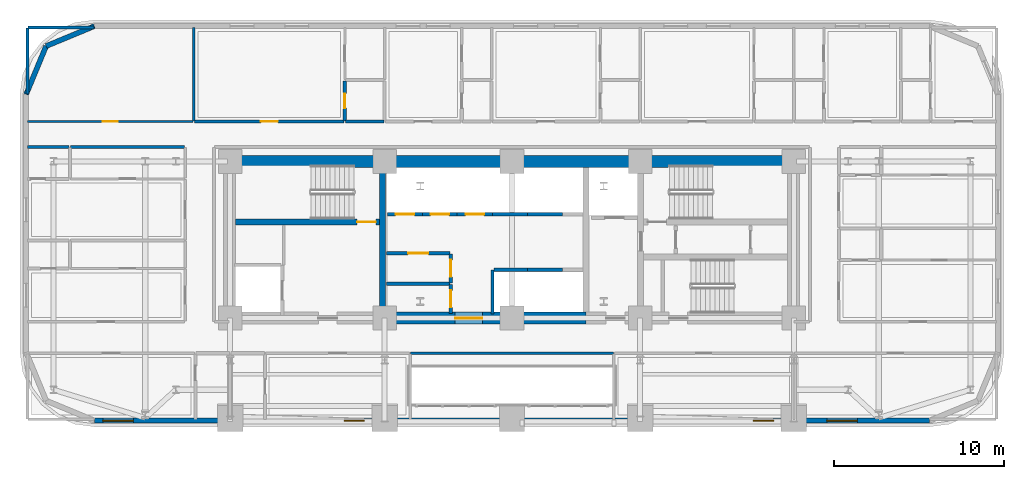
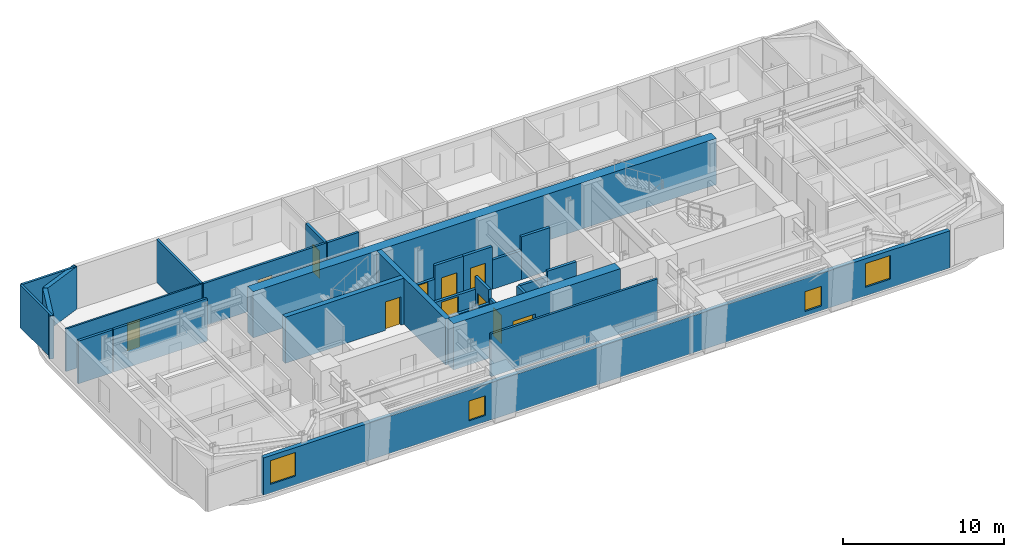
# One storey, part 8 of 16: 29 walls, 11 doors, 4 windows, 15 openings.
"""IFC4 building model written with IfcOpenShell, lengths in metres."""

import ifcopenshell
import ifcopenshell.guid

model = None  # the IFC model being written
_history = None  # IfcOwnerHistory: only IFC2X3 demands one
_inside = {}  # id of a spatial element -> (the spatial element, [elements in it])
_under = {}  # id of a project, library or spatial element -> (it, [spatial elements below it])
_declared = {}  # id of a project -> (the project, [libraries it declares])
_typed = {}  # id of a type object -> (the type object, [elements of that type])
_made_of = {}  # id of a material, layer set ... -> (it, [elements and type objects made of it])


def new_model(schema):
    """Start an empty IFC model of exactly this schema.

    Asked for "IFC4X3", IfcOpenShell would pick the latest addendum, in which some entities
    have other attributes; the version numbers below select the first issue.
    IFC2X3 requires an IfcOwnerHistory on every rooted entity: one is made here for all.
    """
    global model, _history
    if schema == "IFC4X3":
        model = ifcopenshell.file(schema_version=(4, 3, 0, 0))
    else:
        model = ifcopenshell.file(schema=schema)
    _inside.clear()
    _under.clear()
    _declared.clear()
    _typed.clear()
    _made_of.clear()
    _history = None
    if model.schema == "IFC2X3":
        org = make("IfcOrganization", Name="unknown")
        user = make(
            "IfcPersonAndOrganization",
            ThePerson=make("IfcPerson", FamilyName="unknown"),
            TheOrganization=org,
        )
        app = make(
            "IfcApplication",
            ApplicationDeveloper=org,
            Version="unknown",
            ApplicationFullName="unknown",
            ApplicationIdentifier="unknown",
        )
        _history = make(
            "IfcOwnerHistory",
            OwningUser=user,
            OwningApplication=app,
            ChangeAction="ADDED",
            CreationDate=0,
        )
    return model


def make(cls, **values):
    """One entity of the class cls with the attributes given. An attribute that is None is left unset."""
    return model.create_entity(
        cls, **{name: value for name, value in values.items() if value is not None}
    )


def rooted(cls, **values):
    """An entity with a GlobalId (a new one), such as an element, a storey or a relation."""
    return make(cls, GlobalId=ifcopenshell.guid.new(), OwnerHistory=_history, **values)


def si_unit(unit_type, name, prefix=None):
    """IfcSIUnit, for example si_unit("LENGTHUNIT", "METRE", prefix="MILLI")."""
    return make("IfcSIUnit", UnitType=unit_type, Prefix=prefix, Name=name)


def assignment(units):
    """IfcUnitAssignment: the units of a project."""
    return None if units is None else make("IfcUnitAssignment", Units=units)


def point(xyz):
    """IfcCartesianPoint."""
    return None if xyz is None else make("IfcCartesianPoint", Coordinates=xyz)


def direction(xyz):
    """IfcDirection."""
    return None if xyz is None else make("IfcDirection", DirectionRatios=xyz)


def frame(location, z_axis=None, x_axis=None):
    """IfcAxis2Placement3D, a coordinate frame: its origin and axes. An axis left out is left unset."""
    return make(
        "IfcAxis2Placement3D",
        Location=point(location),
        Axis=direction(z_axis),
        RefDirection=direction(x_axis),
    )


def frame_2d(location, x_axis=None):
    """IfcAxis2Placement2D, a coordinate frame in the plane: its origin and x axis."""
    return make(
        "IfcAxis2Placement2D", Location=point(location), RefDirection=direction(x_axis)
    )


def origin():
    """The frame at (0, 0, 0) with its axes left unset."""
    return frame((0.0, 0.0, 0.0))


def place(relative_to, where):
    """IfcLocalPlacement: puts the frame where relative to a parent placement (None: the world)."""
    return make(
        "IfcLocalPlacement", PlacementRelTo=relative_to, RelativePlacement=where
    )


def context(
    kind, dimensions, precision=None, world=None, true_north=None, identifier=None
):
    """IfcGeometricRepresentationContext, for example the 3D "Model" context."""
    return make(
        "IfcGeometricRepresentationContext",
        ContextIdentifier=identifier,
        ContextType=kind,
        CoordinateSpaceDimension=dimensions,
        Precision=precision,
        WorldCoordinateSystem=world,
        TrueNorth=true_north,
    )


def subcontext(parent, identifier, kind, view, scale=None):
    """IfcGeometricRepresentationSubContext, for example "Body" below "Model"."""
    return make(
        "IfcGeometricRepresentationSubContext",
        ContextIdentifier=identifier,
        ContextType=kind,
        ParentContext=parent,
        TargetScale=scale,
        TargetView=view,
    )


def project(units=None, contexts=None):
    """IfcProject with its units and contexts."""
    return rooted(
        "IfcProject",
        Name="project",
        RepresentationContexts=contexts,
        UnitsInContext=assignment(units),
    )


def spatial(cls, under=None, at=None, **own):
    """A site, building, storey or space (cls), placed at a placement, below another one or the project."""
    s = rooted(cls, ObjectPlacement=at, **own)
    if under is not None:
        _under.setdefault(under.id(), (under, []))[1].append(s)
    return s


def profile(cls, at=None, kind="AREA", **sizes):
    """A parametric profile (cls). Its sizes go by their IFC names, for example OverallWidth=200.0."""
    return make(cls, ProfileType=kind, Position=at, **sizes)


def rectangle(**sizes):
    """IfcRectangleProfileDef."""
    return profile("IfcRectangleProfileDef", **sizes)


def extrude(swept, where, along, depth):
    """IfcExtrudedAreaSolid: the profile swept, set in the frame where, extruded along a direction by depth."""
    return make(
        "IfcExtrudedAreaSolid",
        SweptArea=swept,
        Position=where,
        ExtrudedDirection=direction(along),
        Depth=depth,
    )


def shape(context_of_items, identifier, shape_type, items):
    """IfcShapeRepresentation: the items that make up one representation, for example the "Body"."""
    return make(
        "IfcShapeRepresentation",
        ContextOfItems=context_of_items,
        RepresentationIdentifier=identifier,
        RepresentationType=shape_type,
        Items=items,
    )


def material(Name=None, Category=None):
    """IfcMaterial."""
    return make("IfcMaterial", Name=Name, Category=Category)


def layer(
    of_material, thickness, ventilated=None, Name=None, Category=None, Priority=None
):
    """IfcMaterialLayer: one layer of a wall or slab, of a material (None: an air gap)."""
    return make(
        "IfcMaterialLayer",
        Material=of_material,
        LayerThickness=thickness,
        IsVentilated=ventilated,
        Name=Name,
        Category=Category,
        Priority=Priority,
    )


def layer_set(layers, Name=None):
    """IfcMaterialLayerSet."""
    return make("IfcMaterialLayerSet", MaterialLayers=layers, LayerSetName=Name)


def made_of(thing, what):
    """Note that an element or type object is made of a material, layer set ...; save() writes the relation."""
    if what is not None:
        _made_of.setdefault(what.id(), (what, []))[1].append(thing)
    return thing


def type_object(cls, material=None, **own):
    """A type object (cls), such as IfcWallType, which elements share."""
    return made_of(rooted(cls, **own), material)


def element(
    cls,
    number,
    at=None,
    inside=None,
    cuts=None,
    type_object=None,
    material=None,
    context=None,
    identifier="Body",
    shape_type=None,
    held_by="IfcProductDefinitionShape",
    body=None,
    shapes=None,
    **own,
):
    """One element of the class cls, such as IfcWall. Its Tag is "e" and its number.

    at: its placement. inside: the storey or other place that contains it. cuts: it is an
    opening in that element (IfcRelVoidsElement). A single representation is given by context,
    identifier, shape_type and body (its items); several are given by shapes. held_by: the class
    of the entity that holds the representations. save() writes the other relations.
    """
    e = rooted(cls, Tag="e%d" % number, ObjectPlacement=at, **own)
    if body is not None:
        shapes = [shape(context, identifier, shape_type, body)]
    if shapes is not None:
        e.Representation = make(held_by, Representations=shapes)
    if inside is not None:
        _inside.setdefault(inside.id(), (inside, []))[1].append(e)
    if cuts is not None:
        rooted(
            "IfcRelVoidsElement", RelatingBuildingElement=cuts, RelatedOpeningElement=e
        )
    if type_object is not None:
        _typed.setdefault(type_object.id(), (type_object, []))[1].append(e)
    return made_of(e, material)


def fill(opening, filler):
    """IfcRelFillsElement: the door or window that sits in an opening."""
    return rooted(
        "IfcRelFillsElement",
        RelatingOpeningElement=opening,
        RelatedBuildingElement=filler,
    )


def aggregate(whole, parts):
    """IfcRelAggregates: a whole, such as a stair, and the parts it consists of."""
    return rooted("IfcRelAggregates", RelatingObject=whole, RelatedObjects=parts)


def save(model, path):
    """Write the relations noted so far, then the file.

    IfcRelAggregates (storeys below a building ...), IfcRelContainedInSpatialStructure (elements
    in a storey), IfcRelDefinesByType, IfcRelAssociatesMaterial and IfcRelDeclares: one each for
    every whole, place, type object, material and project.
    """
    for whole, parts in _under.values():
        aggregate(whole, parts)
    for where, things in _inside.values():
        rooted(
            "IfcRelContainedInSpatialStructure",
            RelatedElements=things,
            RelatingStructure=where,
        )
    for kind, things in _typed.values():
        rooted("IfcRelDefinesByType", RelatedObjects=things, RelatingType=kind)
    for what, things in _made_of.values():
        rooted("IfcRelAssociatesMaterial", RelatedObjects=things, RelatingMaterial=what)
    for by, libraries in _declared.values():
        rooted("IfcRelDeclares", RelatingContext=by, RelatedDefinitions=libraries)
    model.write(path)


model = new_model("IFC4")

# Units and contexts
model_context = context("Model", 3, precision=1e-05, world=origin(), true_north=direction((0.0, 1.0)))
body_context = subcontext(model_context, "Body", "Model", "MODEL_VIEW")
ifc_project = project(units=[si_unit("LENGTHUNIT", "METRE"), si_unit("AREAUNIT", "SQUARE_METRE"), si_unit("VOLUMEUNIT", "CUBIC_METRE"), si_unit("PLANEANGLEUNIT", "RADIAN"), si_unit("MASSUNIT", "GRAM", prefix="KILO")], contexts=[model_context])

# Site, building, storey
site_placement = place(None, origin())
site = spatial("IfcSite", under=ifc_project, at=site_placement, CompositionType="ELEMENT")
building_placement = place(site_placement, origin())
building = spatial("IfcBuilding", under=site, at=building_placement, Name="Zarnavel Station Tower", CompositionType="ELEMENT")
storey_placement = place(building_placement, frame((0.0, 0.0, 46.5)))
storey = spatial("IfcBuildingStorey", under=building, at=storey_placement, Name="L12", CompositionType="ELEMENT", Elevation=46.5)

# Wall
ifc_material_1 = material(Name="Concrete C50/60", Category="concrete")
ifc_layer_1 = layer(ifc_material_1, 0.35009765625)
ifc_layer_set_1 = layer_set([ifc_layer_1], Name="CW_350")
wall_type_1 = type_object("IfcWallType", Name="CW_350", PredefinedType="SHEAR", material=ifc_layer_set_1)
wall_1_placement = place(storey_placement, frame((21.179931640625, 28.169921875, 0.0), z_axis=(0.0, 0.0, 1.0), x_axis=(0.0, 1.0, 0.0)))
element("IfcWall", 1, at=wall_1_placement, inside=storey, type_object=wall_type_1, Name="L12 Rear Core Shear Wall DIV-W", PredefinedType="SHEAR", context=body_context, shape_type="SweptSolid", body=[
    extrude(rectangle(XDim=8.530029296875, YDim=0.35009765625, at=frame_2d((4.26513671875, 0.0))), origin(), (0.0, 0.0, 1.0), 3.5),
])

# Wall, opening, door
wall_2_placement = place(storey_placement, frame((21.0048828125, 33.47998046875, 0.0), z_axis=(0.0, 0.0, 1.0), x_axis=(-1.0, 0.0, 0.0)))
wall_2 = element("IfcWall", 2, at=wall_2_placement, inside=storey, type_object=wall_type_1, Name="L12 Rear Core Shear Wall DIV-H1", PredefinedType="SHEAR", context=body_context, shape_type="SweptSolid", body=[
    extrude(rectangle(XDim=8.5048828125, YDim=0.35009765625, at=frame_2d((4.25244140625, 0.0))), origin(), (0.0, 0.0, 1.0), 3.5),
])
opening_1_placement = place(wall_2_placement, frame((0.219970703125, 0.0, 0.0)))
opening_1 = element("IfcOpeningElement", 3, at=opening_1_placement, cuts=wall_2, Name="Opening FD01", PredefinedType="OPENING", context=body_context, shape_type="SweptSolid", body=[
    extrude(rectangle(XDim=1.10009765625, YDim=2.14990234375, at=frame_2d((0.550048828125, 1.074951171875))), frame((0.0, 0.18505859375, 0.0), z_axis=(0.0, -1.0, 0.0), x_axis=(1.0, 0.0, 0.0)), (0.0, 0.0, 1.0), 0.3701171875),
])
ifc_material_2 = material(Name="Painted Galvanised Steel and Hardwood Leaf", Category="steel")
door_type_1 = type_object("IfcDoorType", Name="ID_STAIR_1100", OperationType="NOTDEFINED", PredefinedType="DOOR", material=ifc_material_2)
door_1_placement = place(opening_1_placement, origin())
door_1 = element("IfcDoor", 4, at=door_1_placement, inside=storey, type_object=door_type_1, Name="L12 Stair ST1 Lobby Fire Door", OperationType="SINGLE_SWING_LEFT", OverallHeight=2.14990234375, OverallWidth=1.10009765625, PredefinedType="DOOR", context=body_context, shape_type="SweptSolid", body=[
    extrude(rectangle(XDim=1.10009765625, YDim=2.14990234375, at=frame_2d((0.550048828125, 1.074951171875))), frame((0.0, 0.02490234375, 0.0), z_axis=(0.0, -1.0, 0.0), x_axis=(1.0, 0.0, 0.0)), (0.0, 0.0, 1.0), 0.050048828125),
])
fill(opening_1, door_1)

# Wall
ifc_material_3 = material(Name="Concrete C60/75", Category="concrete")
ifc_layer_2 = layer(ifc_material_3, 0.699951171875)
ifc_layer_set_2 = layer_set([ifc_layer_2], Name="CW_700")
wall_type_2 = type_object("IfcWallType", Name="CW_700", PredefinedType="SHEAR", material=ifc_layer_set_2)
wall_3_placement = place(storey_placement, frame((12.14990234375, 37.050048828125, 0.0), z_axis=(0.0, 0.0, 1.0), x_axis=(1.0, 0.0, 0.0)))
element("IfcWall", 5, at=wall_3_placement, inside=storey, type_object=wall_type_2, Name="L12 Rear Core Shear Wall N", PredefinedType="SHEAR", context=body_context, shape_type="SweptSolid", body=[
    extrude(rectangle(XDim=33.22998046875, YDim=0.699951171875, at=frame_2d((16.614990234375, 0.0))), origin(), (0.0, 0.0, 1.0), 3.5),
])

# Wall, opening, door
wall_4_placement = place(storey_placement, frame((33.14990234375, 27.820068359375, 0.0), z_axis=(0.0, 0.0, 1.0), x_axis=(-1.0, 0.0, 0.0)))
wall_4 = element("IfcWall", 6, at=wall_4_placement, inside=storey, type_object=wall_type_2, Name="L12 Rear Core Shear Wall S-M", PredefinedType="SHEAR", context=body_context, shape_type="SweptSolid", body=[
    extrude(rectangle(XDim=11.969970703125, YDim=0.699951171875, at=frame_2d((5.98486328125, 0.0))), origin(), (0.0, 0.0, 1.0), 3.5),
])
opening_2_placement = place(wall_4_placement, frame((6.10009765625, 0.0, 0.0)))
opening_2 = element("IfcOpeningElement", 7, at=opening_2_placement, cuts=wall_4, Name="Opening ID03", PredefinedType="OPENING", context=body_context, shape_type="SweptSolid", body=[
    extrude(rectangle(XDim=1.60009765625, YDim=2.199951171875, at=frame_2d((0.800048828125, 1.10009765625))), frame((0.0, 0.35986328125, 0.0), z_axis=(0.0, -1.0, 0.0), x_axis=(1.0, 0.0, 0.0)), (0.0, 0.0, 1.0), 0.719970703125),
])
ifc_material_4 = material(Name="Painted Galvanised Steel and Hardwood Leaf", Category="steel")
door_type_2 = type_object("IfcDoorType", Name="ID_PUBLIC_1600", OperationType="DOUBLE_DOOR_SINGLE_SWING", PredefinedType="DOOR", material=ifc_material_4)
door_2_placement = place(opening_2_placement, origin())
door_2 = element("IfcDoor", 8, at=door_2_placement, inside=storey, type_object=door_type_2, Name="L12 Passenger Lift Lobby Double Door", OperationType="SINGLE_SWING_LEFT", OverallHeight=2.199951171875, OverallWidth=1.60009765625, PredefinedType="DOOR", context=body_context, shape_type="SweptSolid", body=[
    extrude(rectangle(XDim=1.60009765625, YDim=2.199951171875, at=frame_2d((0.800048828125, 1.10009765625))), frame((0.0, 0.02490234375, 0.0), z_axis=(0.0, -1.0, 0.0), x_axis=(1.0, 0.0, 0.0)), (0.0, 0.0, 1.0), 0.050048828125),
])
fill(opening_2, door_2)

# Walls
ifc_material_5 = material(Name="Precast concrete C45/55 (Dark Basalt Finish)", Category="masonry")
ifc_layer_3 = layer(ifc_material_5, 0.300048828125)
ifc_layer_set_3 = layer_set([ifc_layer_3], Name="EW_BASALT_300")
wall_type_3 = type_object("IfcWallType", Name="EW_BASALT_300", PredefinedType="SOLIDWALL", material=ifc_layer_set_3)
for number, where, z_axis, x_axis, name in (
    (9, (1.357421875, 43.842529296875, 0.0), (0.0, 0.0, 1.0), (0.923870793506, 0.382704529509, 0.0), "L12 Exterior Basalt Masonry Frame Wall 07"),
    (10, (0.179931640625, 41.0, 0.0), (0.0, 0.0, 1.0), (0.382704529509, 0.923870793506, 0.0), "L12 Exterior Basalt Masonry Frame Wall 08"),
):
    element("IfcWall", number, at=place(storey_placement, frame(where, z_axis=z_axis, x_axis=x_axis)), inside=storey, type_object=wall_type_3, Name=name, PredefinedType="SOLIDWALL", context=body_context, shape_type="SweptSolid", body=[
        extrude(rectangle(XDim=3.07666015625, YDim=0.300048828125, at=frame_2d((1.538330078125, 0.0))), origin(), (0.0, 0.0, 1.0), 3.239990234375),
    ])

# Wall, openings, windows
wall_5_placement = place(storey_placement, frame((53.39990234375, 21.780029296875, 0.0), z_axis=(0.0, 0.0, 1.0), x_axis=(-1.0, 0.0, 0.0)))
wall_5 = element("IfcWall", 11, at=wall_5_placement, inside=storey, type_object=wall_type_3, Name="L12 Exterior Basalt Masonry Frame Wall 12", PredefinedType="SOLIDWALL", context=body_context, shape_type="SweptSolid", body=[
    extrude(rectangle(XDim=49.199951171875, YDim=0.300048828125, at=frame_2d((24.60009765625, 0.0))), origin(), (0.0, 0.0, 1.0), 2.820068359375),
])
opening_3_placement = place(wall_5_placement, frame((46.896240234375, 0.0, 0.64990234375)))
opening_3 = element("IfcOpeningElement", 12, at=opening_3_placement, cuts=wall_5, Name="Opening WN02", PredefinedType="OPENING", context=body_context, shape_type="SweptSolid", body=[
    extrude(rectangle(XDim=1.800048828125, YDim=1.800048828125, at=frame_2d((0.89990234375, 0.89990234375))), frame((0.0, 0.159912109375, 0.0), z_axis=(0.0, -1.0, 0.0), x_axis=(1.0, 0.0, 0.0)), (0.0, 0.0, 1.0), 0.320068359375),
])
opening_4_placement = place(wall_5_placement, frame((33.294921875, 0.0, 0.47998046875)))
opening_4 = element("IfcOpeningElement", 13, at=opening_4_placement, cuts=wall_5, Name="Opening WN08", PredefinedType="OPENING", context=body_context, shape_type="SweptSolid", body=[
    extrude(rectangle(XDim=1.199951171875, YDim=1.5, at=frame_2d((0.60009765625, 0.75))), frame((0.0, 0.159912109375, 0.0), z_axis=(0.0, -1.0, 0.0), x_axis=(1.0, 0.0, 0.0)), (0.0, 0.0, 1.0), 0.320068359375),
])
opening_5_placement = place(wall_5_placement, frame((9.195068359375, 0.0, 0.340087890625)))
opening_5 = element("IfcOpeningElement", 14, at=opening_5_placement, cuts=wall_5, Name="Opening WN08", PredefinedType="OPENING", context=body_context, shape_type="SweptSolid", body=[
    extrude(rectangle(XDim=1.199951171875, YDim=1.5, at=frame_2d((0.60009765625, 0.75))), frame((0.0, 0.159912109375, 0.0), z_axis=(0.0, -1.0, 0.0), x_axis=(1.0, 0.0, 0.0)), (0.0, 0.0, 1.0), 0.320068359375),
])
opening_6_placement = place(wall_5_placement, frame((4.2587890625, 0.0, 0.64990234375)))
opening_6 = element("IfcOpeningElement", 15, at=opening_6_placement, cuts=wall_5, Name="Opening WN02", PredefinedType="OPENING", context=body_context, shape_type="SweptSolid", body=[
    extrude(rectangle(XDim=1.800048828125, YDim=1.800048828125, at=frame_2d((0.89990234375, 0.89990234375))), frame((0.0, 0.159912109375, 0.0), z_axis=(0.0, -1.0, 0.0), x_axis=(1.0, 0.0, 0.0)), (0.0, 0.0, 1.0), 0.320068359375),
])
ifc_material_6 = material(Name="Thermally Broken Black Aluminium and Low-E Dark Glass", Category="aluminium")
window_type_1 = type_object("IfcWindowType", Name="WN_1200x1500", PartitioningType="SINGLE_PANEL", PredefinedType="WINDOW", material=ifc_material_6)
window_1_placement = place(opening_4_placement, origin())
window_1 = element("IfcWindow", 16, at=window_1_placement, inside=storey, type_object=window_type_1, Name="L12 Recessed Facade Window 02", OverallHeight=1.5, OverallWidth=1.199951171875, PartitioningType="SINGLE_PANEL", PredefinedType="WINDOW", context=body_context, shape_type="SweptSolid", body=[
    extrude(rectangle(XDim=1.199951171875, YDim=1.5, at=frame_2d((0.60009765625, 0.75))), frame((0.0, 0.030029296875, 0.0), z_axis=(0.0, -1.0, 0.0), x_axis=(1.0, 0.0, 0.0)), (0.0, 0.0, 1.0), 0.06005859375),
])
fill(opening_4, window_1)
window_2_placement = place(opening_5_placement, origin())
window_2 = element("IfcWindow", 17, at=window_2_placement, inside=storey, type_object=window_type_1, Name="L12 Recessed Facade Window 03", OverallHeight=1.5, OverallWidth=1.199951171875, PartitioningType="SINGLE_PANEL", PredefinedType="WINDOW", context=body_context, shape_type="SweptSolid", body=[
    extrude(rectangle(XDim=1.199951171875, YDim=1.5, at=frame_2d((0.60009765625, 0.75))), frame((0.0, 0.030029296875, 0.0), z_axis=(0.0, -1.0, 0.0), x_axis=(1.0, 0.0, 0.0)), (0.0, 0.0, 1.0), 0.06005859375),
])
fill(opening_5, window_2)
ifc_material_7 = material(Name="Thermally Broken Black Aluminium and Low-E Dark Glass", Category="aluminium")
window_type_2 = type_object("IfcWindowType", Name="WN_1800x1800", PartitioningType="DOUBLE_PANEL_VERTICAL", PredefinedType="WINDOW", material=ifc_material_7)
window_3_placement = place(opening_3_placement, origin())
window_3 = element("IfcWindow", 18, at=window_3_placement, inside=storey, type_object=window_type_2, Name="L12 Recessed Facade Window 01", OverallHeight=1.800048828125, OverallWidth=1.800048828125, PartitioningType="SINGLE_PANEL", PredefinedType="WINDOW", context=body_context, shape_type="SweptSolid", body=[
    extrude(rectangle(XDim=1.800048828125, YDim=1.800048828125, at=frame_2d((0.89990234375, 0.89990234375))), frame((0.0, 0.030029296875, 0.0), z_axis=(0.0, -1.0, 0.0), x_axis=(1.0, 0.0, 0.0)), (0.0, 0.0, 1.0), 0.06005859375),
])
fill(opening_3, window_3)
window_4_placement = place(opening_6_placement, origin())
window_4 = element("IfcWindow", 19, at=window_4_placement, inside=storey, type_object=window_type_2, Name="L12 Recessed Facade Window 04", OverallHeight=1.800048828125, OverallWidth=1.800048828125, PartitioningType="SINGLE_PANEL", PredefinedType="WINDOW", context=body_context, shape_type="SweptSolid", body=[
    extrude(rectangle(XDim=1.800048828125, YDim=1.800048828125, at=frame_2d((0.89990234375, 0.89990234375))), frame((0.0, 0.030029296875, 0.0), z_axis=(0.0, -1.0, 0.0), x_axis=(1.0, 0.0, 0.0)), (0.0, 0.0, 1.0), 0.06005859375),
])
fill(opening_6, window_4)

# Wall
ifc_material_8 = material(Name="Gypsum Twin-Stud Acoustic Fire Partition", Category="concrete")
ifc_layer_4 = layer(ifc_material_8, 0.159912109375)
ifc_layer_set_4 = layer_set([ifc_layer_4], Name="PT_DEMISE_160")
wall_type_4 = type_object("IfcWallType", Name="PT_DEMISE_160", PredefinedType="PARTITIONING", material=ifc_layer_set_4)
wall_6_placement = place(storey_placement, frame((2.800048828125, 37.89990234375, 0.0), z_axis=(0.0, 0.0, 1.0), x_axis=(1.0, 0.0, 0.0)))
element("IfcWall", 20, at=wall_6_placement, inside=storey, type_object=wall_type_4, Name="L12 Partition COR-N-FNW2S", PredefinedType="PARTITIONING", context=body_context, shape_type="SweptSolid", body=[
    extrude(rectangle(XDim=6.7099609375, YDim=0.159912109375, at=frame_2d((3.35498046875, 0.0))), origin(), (0.0, 0.0, 1.0), 3.239990234375),
])

# Wall, opening, door
wall_7_placement = place(storey_placement, frame((10.10009765625, 39.39990234375, 0.0), z_axis=(0.0, 0.0, 1.0), x_axis=(1.0, 0.0, 0.0)))
wall_7 = element("IfcWall", 21, at=wall_7_placement, inside=storey, type_object=wall_type_4, Name="L12 Partition COR-N-HN1R", PredefinedType="PARTITIONING", context=body_context, shape_type="SweptSolid", body=[
    extrude(rectangle(XDim=8.809814453125, YDim=0.159912109375, at=frame_2d((4.40478515625, 0.0))), origin(), (0.0, 0.0, 1.0), 3.239990234375),
])
opening_7_placement = place(wall_7_placement, frame((3.905029296875, 0.0, 0.0)))
opening_7 = element("IfcOpeningElement", 22, at=opening_7_placement, cuts=wall_7, Name="Opening FD02", PredefinedType="OPENING", context=body_context, shape_type="SweptSolid", body=[
    extrude(rectangle(XDim=1.0, YDim=2.14990234375, at=frame_2d((0.5, 1.074951171875))), frame((0.0, 0.08984375, 0.0), z_axis=(0.0, -1.0, 0.0), x_axis=(1.0, 0.0, 0.0)), (0.0, 0.0, 1.0), 0.179931640625),
])
ifc_material_9 = material(Name="Painted Galvanised Steel and Hardwood Leaf", Category="steel")
door_type_3 = type_object("IfcDoorType", Name="ID_ENTRY_1000", OperationType="NOTDEFINED", PredefinedType="DOOR", material=ifc_material_9)
door_3_placement = place(opening_7_placement, origin())
door_3 = element("IfcDoor", 23, at=door_3_placement, inside=storey, type_object=door_type_3, Name="L12 Door COR-N-HN1R", OperationType="SINGLE_SWING_LEFT", OverallHeight=2.14990234375, OverallWidth=1.0, PredefinedType="DOOR", context=body_context, shape_type="SweptSolid", body=[
    extrude(rectangle(XDim=1.0, YDim=2.14990234375, at=frame_2d((0.5, 1.074951171875))), frame((0.0, 0.02490234375, 0.0), z_axis=(0.0, -1.0, 0.0), x_axis=(1.0, 0.0, 0.0)), (0.0, 0.0, 1.0), 0.050048828125),
])
fill(opening_7, door_3)

# Walls
wall_8_placement = place(storey_placement, frame((10.06005859375, 39.43994140625, 0.0), z_axis=(0.0, 0.0, 1.0), x_axis=(0.0, 1.0, 0.0)))
element("IfcWall", 24, at=wall_8_placement, inside=storey, type_object=wall_type_4, Name="L12 Partition HSKP-HN1R", PredefinedType="PARTITIONING", context=body_context, shape_type="SweptSolid", body=[
    extrude(rectangle(XDim=5.5, YDim=0.159912109375, at=frame_2d((2.75, 0.0))), origin(), (0.0, 0.0, 1.0), 3.239990234375),
])
wall_9_placement = place(storey_placement, frame((22.830078125, 25.75, 0.0), z_axis=(0.0, 0.0, 1.0), x_axis=(1.0, 0.0, 0.0)))
element("IfcWall", 25, at=wall_9_placement, inside=storey, type_object=wall_type_4, Name="L12 Enclosure Wall COR-S", PredefinedType="PARTITIONING", context=body_context, shape_type="SweptSolid", body=[
    extrude(rectangle(XDim=11.93994140625, YDim=0.159912109375, at=frame_2d((5.969970703125, 0.0))), origin(), (0.0, 0.0, 1.0), 3.239990234375),
])
for number, where, z_axis, x_axis, name in (
    (26, (0.2900390625, 44.93994140625, 0.0), (0.0, 0.0, 1.0), (1.0, 0.0, 0.0), "L12 Enclosure Wall HSKP"),
    (27, (0.260009765625, 41.030029296875, 0.0), (0.0, 0.0, 1.0), (0.0, 1.0, 0.0), "L12 Enclosure Wall HSKP"),
):
    element("IfcWall", number, at=place(storey_placement, frame(where, z_axis=z_axis, x_axis=x_axis)), inside=storey, type_object=wall_type_4, Name=name, PredefinedType="PARTITIONING", context=body_context, shape_type="SweptSolid", body=[
        extrude(rectangle(XDim=3.8798828125, YDim=0.159912109375, at=frame_2d((1.93994140625, 0.0))), origin(), (0.0, 0.0, 1.0), 3.239990234375),
    ])

# Wall, opening, door
ifc_material_10 = material(Name="Gypsum Metal-Stud Interior Partition", Category="concrete")
ifc_layer_5 = layer(ifc_material_10, 0.1201171875)
ifc_layer_set_5 = layer_set([ifc_layer_5], Name="PT_ROOM_120")
wall_type_5 = type_object("IfcWallType", Name="PT_ROOM_120", PredefinedType="PARTITIONING", material=ifc_layer_set_5)
wall_10_placement = place(storey_placement, frame((0.260009765625, 39.39990234375, 0.0), z_axis=(0.0, 0.0, 1.0), x_axis=(1.0, 0.0, 0.0)))
wall_10 = element("IfcWall", 28, at=wall_10_placement, inside=storey, type_object=wall_type_5, Name="L12 Partition COR-N-HSKP", PredefinedType="PARTITIONING", context=body_context, shape_type="SweptSolid", body=[
    extrude(rectangle(XDim=9.760009765625, YDim=0.1201171875, at=frame_2d((4.8798828125, 0.0))), origin(), (0.0, 0.0, 1.0), 3.239990234375),
])
opening_8_placement = place(wall_10_placement, frame((4.429931640625, 0.0, 0.0)))
opening_8 = element("IfcOpeningElement", 29, at=opening_8_placement, cuts=wall_10, Name="Opening ID01", PredefinedType="OPENING", context=body_context, shape_type="SweptSolid", body=[
    extrude(rectangle(XDim=0.89990234375, YDim=2.10009765625, at=frame_2d((0.449951171875, 1.050048828125))), frame((0.0, 0.070068359375, 0.0), z_axis=(0.0, -1.0, 0.0), x_axis=(1.0, 0.0, 0.0)), (0.0, 0.0, 1.0), 0.14013671875),
])
ifc_material_11 = material(Name="Painted Galvanised Steel and Hardwood Leaf", Category="steel")
door_type_4 = type_object("IfcDoorType", Name="ID_ROOM_900", OperationType="NOTDEFINED", PredefinedType="DOOR", material=ifc_material_11)
door_4_placement = place(opening_8_placement, origin())
door_4 = element("IfcDoor", 30, at=door_4_placement, inside=storey, type_object=door_type_4, Name="L12 Door COR-N-HSKP", OperationType="SINGLE_SWING_RIGHT", OverallHeight=2.10009765625, OverallWidth=0.89990234375, PredefinedType="DOOR", context=body_context, shape_type="SweptSolid", body=[
    extrude(rectangle(XDim=0.89990234375, YDim=2.10009765625, at=frame_2d((0.449951171875, 1.050048828125))), frame((0.0, 0.02490234375, 0.0), z_axis=(0.0, -1.0, 0.0), x_axis=(1.0, 0.0, 0.0)), (0.0, 0.0, 1.0), 0.050048828125),
])
fill(opening_8, door_4)

# Walls
ifc_material_12 = material(Name="Precast concrete C45/55 (Fire Shaft Blockwork)", Category="masonry")
ifc_layer_6 = layer(ifc_material_12, 0.199951171875)
ifc_layer_set_6 = layer_set([ifc_layer_6], Name="PT_SHAFT_200")
wall_type_6 = type_object("IfcWallType", Name="PT_SHAFT_200", PredefinedType="PARTITIONING", material=ifc_layer_set_6)
wall_11_placement = place(storey_placement, frame((27.75, 30.669921875, 0.0), z_axis=(0.0, 0.0, 1.0), x_axis=(1.0, 0.0, 0.0)))
element("IfcWall", 31, at=wall_11_placement, inside=storey, type_object=wall_type_6, Name="L12 Lift PL-H1 Shaft Front Wall", PredefinedType="PARTITIONING", context=body_context, shape_type="SweptSolid", body=[
    extrude(rectangle(XDim=1.97509765625, YDim=0.199951171875, at=frame_2d((0.987548828125, 0.0))), origin(), (0.0, 0.0, 1.0), 2.2119140625),
])
wall_12_placement = place(storey_placement, frame((27.64990234375, 28.070068359375, 0.0), z_axis=(0.0, 0.0, 1.0), x_axis=(0.0, 1.0, 0.0)))
element("IfcWall", 32, at=wall_12_placement, inside=storey, type_object=wall_type_6, Name="L12 High-Rise Lift Bank West Shaft Wall", PredefinedType="PARTITIONING", context=body_context, shape_type="SweptSolid", body=[
    extrude(rectangle(XDim=2.579833984375, YDim=0.199951171875, at=frame_2d((1.2900390625, 0.0))), origin(), (0.0, 0.0, 1.0), 2.2119140625),
])
wall_13_placement = place(storey_placement, frame((29.72509765625, 30.669921875, 0.0), z_axis=(0.0, 0.0, 1.0), x_axis=(1.0, 0.0, 0.0)))
element("IfcWall", 33, at=wall_13_placement, inside=storey, type_object=wall_type_6, Name="L12 Lift PL-H2 Shaft Front Wall", PredefinedType="PARTITIONING", context=body_context, shape_type="SweptSolid", body=[
    extrude(rectangle(XDim=2.0498046875, YDim=0.199951171875, at=frame_2d((1.02490234375, 0.0))), origin(), (0.0, 0.0, 1.0), 2.6201171875),
])

# Wall, opening, door
wall_14_placement = place(storey_placement, frame((21.4599609375, 33.929931640625, 0.0), z_axis=(0.0, 0.0, 1.0), x_axis=(1.0, 0.0, 0.0)))
wall_14 = element("IfcWall", 34, at=wall_14_placement, inside=storey, type_object=wall_type_6, Name="L12 Lift PL-L1 Shaft Front Wall", PredefinedType="PARTITIONING", context=body_context, shape_type="SweptSolid", body=[
    extrude(rectangle(XDim=2.06494140625, YDim=0.199951171875, at=frame_2d((1.032470703125, 0.0))), origin(), (0.0, 0.0, 1.0), 2.2119140625),
])
opening_9_placement = place(wall_14_placement, frame((0.482421875, 0.0, 0.0)))
opening_9 = element("IfcOpeningElement", 35, at=opening_9_placement, cuts=wall_14, Name="Opening LD02", PredefinedType="OPENING", context=body_context, shape_type="SweptSolid", body=[
    extrude(rectangle(XDim=1.10009765625, YDim=2.14990234375, at=frame_2d((0.550048828125, 1.074951171875))), frame((0.0, 0.10986328125, 0.0), z_axis=(0.0, -1.0, 0.0), x_axis=(1.0, 0.0, 0.0)), (0.0, 0.0, 1.0), 0.219970703125),
])
ifc_material_13 = material(Name="Painted Galvanised Steel and Hardwood Leaf", Category="steel")
door_type_5 = type_object("IfcDoorType", Name="LD_PAX_1100", OperationType="DOUBLE_DOOR_SLIDING", PredefinedType="DOOR", material=ifc_material_13)
door_5_placement = place(opening_9_placement, origin())
door_5 = element("IfcDoor", 36, at=door_5_placement, inside=storey, type_object=door_type_5, Name="L12 Lift PL-L1 Sliding Landing Door", OperationType="DOUBLE_DOOR_SLIDING", OverallHeight=2.14990234375, OverallWidth=1.10009765625, PredefinedType="DOOR", context=body_context, shape_type="SweptSolid", body=[
    extrude(rectangle(XDim=1.10009765625, YDim=2.14990234375, at=frame_2d((0.550048828125, 1.074951171875))), frame((0.0, 0.02490234375, 0.0), z_axis=(0.0, -1.0, 0.0), x_axis=(1.0, 0.0, 0.0)), (0.0, 0.0, 1.0), 0.050048828125),
])
fill(opening_9, door_5)

wall_15_placement = place(storey_placement, frame((23.52490234375, 33.929931640625, 0.0), z_axis=(0.0, 0.0, 1.0), x_axis=(1.0, 0.0, 0.0)))
wall_15 = element("IfcWall", 37, at=wall_15_placement, inside=storey, type_object=wall_type_6, Name="L12 Lift PL-L2 Shaft Front Wall", PredefinedType="PARTITIONING", context=body_context, shape_type="SweptSolid", body=[
    extrude(rectangle(XDim=2.050048828125, YDim=0.199951171875, at=frame_2d((1.02490234375, 0.0))), origin(), (0.0, 0.0, 1.0), 3.239990234375),
])
opening_10_placement = place(wall_15_placement, frame((0.47509765625, 0.0, 0.0)))
opening_10 = element("IfcOpeningElement", 38, at=opening_10_placement, cuts=wall_15, Name="Opening LD02", PredefinedType="OPENING", context=body_context, shape_type="SweptSolid", body=[
    extrude(rectangle(XDim=1.10009765625, YDim=2.14990234375, at=frame_2d((0.550048828125, 1.074951171875))), frame((0.0, 0.10986328125, 0.0), z_axis=(0.0, -1.0, 0.0), x_axis=(1.0, 0.0, 0.0)), (0.0, 0.0, 1.0), 0.219970703125),
])
door_6_placement = place(opening_10_placement, origin())
door_6 = element("IfcDoor", 39, at=door_6_placement, inside=storey, type_object=door_type_5, Name="L12 Lift PL-L2 Sliding Landing Door", OperationType="DOUBLE_DOOR_SLIDING", OverallHeight=2.14990234375, OverallWidth=1.10009765625, PredefinedType="DOOR", context=body_context, shape_type="SweptSolid", body=[
    extrude(rectangle(XDim=1.10009765625, YDim=2.14990234375, at=frame_2d((0.550048828125, 1.074951171875))), frame((0.0, 0.02490234375, 0.0), z_axis=(0.0, -1.0, 0.0), x_axis=(1.0, 0.0, 0.0)), (0.0, 0.0, 1.0), 0.050048828125),
])
fill(opening_10, door_6)

wall_16_placement = place(storey_placement, frame((25.574951171875, 33.929931640625, 0.0), z_axis=(0.0, 0.0, 1.0), x_axis=(1.0, 0.0, 0.0)))
wall_16 = element("IfcWall", 40, at=wall_16_placement, inside=storey, type_object=wall_type_6, Name="L12 Lift PL-L3 Shaft Front Wall", PredefinedType="PARTITIONING", context=body_context, shape_type="SweptSolid", body=[
    extrude(rectangle(XDim=2.074951171875, YDim=0.199951171875, at=frame_2d((1.03759765625, 0.0))), origin(), (0.0, 0.0, 1.0), 3.239990234375),
])
opening_11_placement = place(wall_16_placement, frame((0.487548828125, 0.0, 0.0)))
opening_11 = element("IfcOpeningElement", 41, at=opening_11_placement, cuts=wall_16, Name="Opening LD02", PredefinedType="OPENING", context=body_context, shape_type="SweptSolid", body=[
    extrude(rectangle(XDim=1.10009765625, YDim=2.14990234375, at=frame_2d((0.550048828125, 1.074951171875))), frame((0.0, 0.10986328125, 0.0), z_axis=(0.0, -1.0, 0.0), x_axis=(1.0, 0.0, 0.0)), (0.0, 0.0, 1.0), 0.219970703125),
])
door_7_placement = place(opening_11_placement, origin())
door_7 = element("IfcDoor", 42, at=door_7_placement, inside=storey, type_object=door_type_5, Name="L12 Lift PL-L3 Sliding Landing Door", OperationType="DOUBLE_DOOR_SLIDING", OverallHeight=2.14990234375, OverallWidth=1.10009765625, PredefinedType="DOOR", context=body_context, shape_type="SweptSolid", body=[
    extrude(rectangle(XDim=1.10009765625, YDim=2.14990234375, at=frame_2d((0.550048828125, 1.074951171875))), frame((0.0, 0.02490234375, 0.0), z_axis=(0.0, -1.0, 0.0), x_axis=(1.0, 0.0, 0.0)), (0.0, 0.0, 1.0), 0.050048828125),
])
fill(opening_11, door_7)

# Walls
wall_17_placement = place(storey_placement, frame((27.64990234375, 33.929931640625, 0.0), z_axis=(0.0, 0.0, 1.0), x_axis=(1.0, 0.0, 0.0)))
element("IfcWall", 43, at=wall_17_placement, inside=storey, type_object=wall_type_6, Name="L12 Lift PL-M1 Shaft Front Wall", PredefinedType="PARTITIONING", context=body_context, shape_type="SweptSolid", body=[
    extrude(rectangle(XDim=2.0751953125, YDim=0.199951171875, at=frame_2d((1.03759765625, 0.0))), origin(), (0.0, 0.0, 1.0), 2.2119140625),
])
wall_18_placement = place(storey_placement, frame((29.72509765625, 33.929931640625, 0.0), z_axis=(0.0, 0.0, 1.0), x_axis=(1.0, 0.0, 0.0)))
element("IfcWall", 44, at=wall_18_placement, inside=storey, type_object=wall_type_6, Name="L12 Lift PL-M2 Shaft Front Wall", PredefinedType="PARTITIONING", context=body_context, shape_type="SweptSolid", body=[
    extrude(rectangle(XDim=2.0498046875, YDim=0.199951171875, at=frame_2d((1.02490234375, 0.0))), origin(), (0.0, 0.0, 1.0), 3.239990234375),
])

# Wall, opening, door
wall_19_placement = place(storey_placement, frame((21.39990234375, 31.64990234375, 0.0), z_axis=(0.0, 0.0, 1.0), x_axis=(1.0, 0.0, 0.0)))
wall_19 = element("IfcWall", 45, at=wall_19_placement, inside=storey, type_object=wall_type_6, Name="L12 Partition LLOB-CS2", PredefinedType="PARTITIONING", context=body_context, shape_type="SweptSolid", body=[
    extrude(rectangle(XDim=3.760009765625, YDim=0.199951171875, at=frame_2d((1.8798828125, 0.0))), origin(), (0.0, 0.0, 1.0), 2.280029296875),
])
opening_12_placement = place(wall_19_placement, frame((1.280029296875, 0.0, 0.0)))
opening_12 = element("IfcOpeningElement", 46, at=opening_12_placement, cuts=wall_19, Name="Opening FD03", PredefinedType="OPENING", context=body_context, shape_type="SweptSolid", body=[
    extrude(rectangle(XDim=1.199951171875, YDim=2.14990234375, at=frame_2d((0.60009765625, 1.074951171875))), frame((0.0, 0.10986328125, 0.0), z_axis=(0.0, -1.0, 0.0), x_axis=(1.0, 0.0, 0.0)), (0.0, 0.0, 1.0), 0.219970703125),
])
ifc_material_14 = material(Name="Painted Galvanised Steel and Hardwood Leaf", Category="steel")
door_type_6 = type_object("IfcDoorType", Name="ID_PLANT_1200", OperationType="NOTDEFINED", PredefinedType="DOOR", material=ifc_material_14)
door_8_placement = place(opening_12_placement, origin())
door_8 = element("IfcDoor", 47, at=door_8_placement, inside=storey, type_object=door_type_6, Name="L12 Door LLOB-CS2", OperationType="SINGLE_SWING_LEFT", OverallHeight=2.14990234375, OverallWidth=1.199951171875, PredefinedType="DOOR", context=body_context, shape_type="SweptSolid", body=[
    extrude(rectangle(XDim=1.199951171875, YDim=2.14990234375, at=frame_2d((0.60009765625, 1.074951171875))), frame((0.0, 0.02490234375, 0.0), z_axis=(0.0, -1.0, 0.0), x_axis=(1.0, 0.0, 0.0)), (0.0, 0.0, 1.0), 0.050048828125),
])
fill(opening_12, door_8)

wall_20_placement = place(storey_placement, frame((25.199951171875, 28.090087890625, 0.0), z_axis=(0.0, 0.0, 1.0), x_axis=(0.0, 1.0, 0.0)))
wall_20 = element("IfcWall", 48, at=wall_20_placement, inside=storey, type_object=wall_type_6, Name="L12 Partition LLOBS-CS1", PredefinedType="PARTITIONING", context=body_context, shape_type="SweptSolid", body=[
    extrude(rectangle(XDim=1.719970703125, YDim=0.199951171875, at=frame_2d((0.85986328125, 0.0))), origin(), (0.0, 0.0, 1.0), 2.6201171875),
])
opening_13_placement = place(wall_20_placement, frame((0.360107421875, 0.0, 0.0)))
opening_13 = element("IfcOpeningElement", 49, at=opening_13_placement, cuts=wall_20, Name="Opening FD02", PredefinedType="OPENING", context=body_context, shape_type="SweptSolid", body=[
    extrude(rectangle(XDim=1.0, YDim=2.14990234375, at=frame_2d((0.5, 1.074951171875))), frame((0.0, 0.10986328125, 0.0), z_axis=(0.0, -1.0, 0.0), x_axis=(1.0, 0.0, 0.0)), (0.0, 0.0, 1.0), 0.219970703125),
])
door_9_placement = place(opening_13_placement, origin())
door_9 = element("IfcDoor", 50, at=door_9_placement, inside=storey, type_object=door_type_3, Name="L12 Door LLOBS-CS1", OperationType="SINGLE_SWING_RIGHT", OverallHeight=2.14990234375, OverallWidth=1.0, PredefinedType="DOOR", context=body_context, shape_type="SweptSolid", body=[
    extrude(rectangle(XDim=1.0, YDim=2.14990234375, at=frame_2d((0.5, 1.074951171875))), frame((0.0, 0.02490234375, 0.0), z_axis=(0.0, -1.0, 0.0), x_axis=(1.0, 0.0, 0.0)), (0.0, 0.0, 1.0), 0.050048828125),
])
fill(opening_13, door_9)

wall_21_placement = place(storey_placement, frame((25.199951171875, 29.889892578125, 0.0), z_axis=(0.0, 0.0, 1.0), x_axis=(0.0, 1.0, 0.0)))
wall_21 = element("IfcWall", 51, at=wall_21_placement, inside=storey, type_object=wall_type_6, Name="L12 Partition LLOBS-CS2", PredefinedType="PARTITIONING", context=body_context, shape_type="SweptSolid", body=[
    extrude(rectangle(XDim=1.72021484375, YDim=0.199951171875, at=frame_2d((0.860107421875, 0.0))), origin(), (0.0, 0.0, 1.0), 3.239990234375),
])
opening_14_placement = place(wall_21_placement, frame((0.360107421875, 0.0, 0.0)))
opening_14 = element("IfcOpeningElement", 52, at=opening_14_placement, cuts=wall_21, Name="Opening FD02", PredefinedType="OPENING", context=body_context, shape_type="SweptSolid", body=[
    extrude(rectangle(XDim=1.0, YDim=2.14990234375, at=frame_2d((0.5, 1.074951171875))), frame((0.0, 0.10986328125, 0.0), z_axis=(0.0, -1.0, 0.0), x_axis=(1.0, 0.0, 0.0)), (0.0, 0.0, 1.0), 0.219970703125),
])
door_10_placement = place(opening_14_placement, origin())
door_10 = element("IfcDoor", 53, at=door_10_placement, inside=storey, type_object=door_type_3, Name="L12 Door LLOBS-CS2", OperationType="SINGLE_SWING_LEFT", OverallHeight=2.14990234375, OverallWidth=1.0, PredefinedType="DOOR", context=body_context, shape_type="SweptSolid", body=[
    extrude(rectangle(XDim=1.0, YDim=2.14990234375, at=frame_2d((0.5, 1.074951171875))), frame((0.0, 0.02490234375, 0.0), z_axis=(0.0, -1.0, 0.0), x_axis=(1.0, 0.0, 0.0)), (0.0, 0.0, 1.0), 0.050048828125),
])
fill(opening_14, door_10)

# Walls
wall_22_placement = place(storey_placement, frame((21.39990234375, 29.85009765625, 0.0), z_axis=(0.0, 0.0, 1.0), x_axis=(1.0, 0.0, 0.0)))
element("IfcWall", 54, at=wall_22_placement, inside=storey, type_object=wall_type_6, Name="L12 Partition CS1-CS2", PredefinedType="PARTITIONING", context=body_context, shape_type="SweptSolid", body=[
    extrude(rectangle(XDim=3.760009765625, YDim=0.199951171875, at=frame_2d((1.8798828125, 0.0))), origin(), (0.0, 0.0, 1.0), 2.280029296875),
])
ifc_material_15 = material(Name="Moisture-Resistant Plumbing Chase Wall", Category="concrete")
ifc_layer_7 = layer(ifc_material_15, 0.179931640625)
ifc_layer_set_7 = layer_set([ifc_layer_7], Name="PW_PLUMB_180")
wall_type_7 = type_object("IfcWallType", Name="PW_PLUMB_180", PredefinedType="PLUMBINGWALL", material=ifc_layer_set_7)
wall_23_placement = place(storey_placement, frame((0.260009765625, 37.89990234375, 0.0), z_axis=(0.0, 0.0, 1.0), x_axis=(1.0, 0.0, 0.0)))
element("IfcWall", 55, at=wall_23_placement, inside=storey, type_object=wall_type_7, Name="L12 Partition COR-N-FNW2B", PredefinedType="PLUMBINGWALL", context=body_context, shape_type="SweptSolid", body=[
    extrude(rectangle(XDim=2.4599609375, YDim=0.179931640625, at=frame_2d((1.22998046875, 0.0))), origin(), (0.0, 0.0, 1.0), 3.239990234375),
])
wall_24_placement = place(storey_placement, frame((18.989990234375, 39.39990234375, 0.0), z_axis=(0.0, 0.0, 1.0), x_axis=(1.0, 0.0, 0.0)))
element("IfcWall", 56, at=wall_24_placement, inside=storey, type_object=wall_type_7, Name="L12 Partition COR-N-HN1B", PredefinedType="PLUMBINGWALL", context=body_context, shape_type="SweptSolid", body=[
    extrude(rectangle(XDim=2.27001953125, YDim=0.179931640625, at=frame_2d((1.135009765625, 0.0))), origin(), (0.0, 0.0, 1.0), 3.239990234375),
])

# Wall, opening, door
wall_25_placement = place(storey_placement, frame((18.949951171875, 39.43994140625, 0.0), z_axis=(0.0, 0.0, 1.0), x_axis=(0.0, 1.0, 0.0)))
wall_25 = element("IfcWall", 57, at=wall_25_placement, inside=storey, type_object=wall_type_7, Name="L12 Partition HN1R-HN1B", PredefinedType="PLUMBINGWALL", context=body_context, shape_type="SweptSolid", body=[
    extrude(rectangle(XDim=2.358154296875, YDim=0.179931640625, at=frame_2d((1.17919921875, 0.0))), origin(), (0.0, 0.0, 1.0), 3.239990234375),
])
opening_15_placement = place(wall_25_placement, frame((0.75390625, 0.0, 0.0)))
opening_15 = element("IfcOpeningElement", 58, at=opening_15_placement, cuts=wall_25, Name="Opening ID02", PredefinedType="OPENING", context=body_context, shape_type="SweptSolid", body=[
    extrude(rectangle(XDim=0.85009765625, YDim=2.10009765625, at=frame_2d((0.425048828125, 1.050048828125))), frame((0.0, 0.099853515625, 0.0), z_axis=(0.0, -1.0, 0.0), x_axis=(1.0, 0.0, 0.0)), (0.0, 0.0, 1.0), 0.199951171875),
])
ifc_material_16 = material(Name="Painted Galvanised Steel and Hardwood Leaf", Category="steel")
door_type_7 = type_object("IfcDoorType", Name="ID_BATH_850", OperationType="NOTDEFINED", PredefinedType="DOOR", material=ifc_material_16)
door_11_placement = place(opening_15_placement, origin())
door_11 = element("IfcDoor", 59, at=door_11_placement, inside=storey, type_object=door_type_7, Name="L12 Door HN1R-HN1B", OperationType="SINGLE_SWING_LEFT", OverallHeight=2.10009765625, OverallWidth=0.85009765625, PredefinedType="DOOR", context=body_context, shape_type="SweptSolid", body=[
    extrude(rectangle(XDim=0.85009765625, YDim=2.10009765625, at=frame_2d((0.425048828125, 1.050048828125))), frame((0.0, 0.02490234375, 0.0), z_axis=(0.0, -1.0, 0.0), x_axis=(1.0, 0.0, 0.0)), (0.0, 0.0, 1.0), 0.050048828125),
])
fill(opening_15, door_11)

save(model, "model.ifc")
